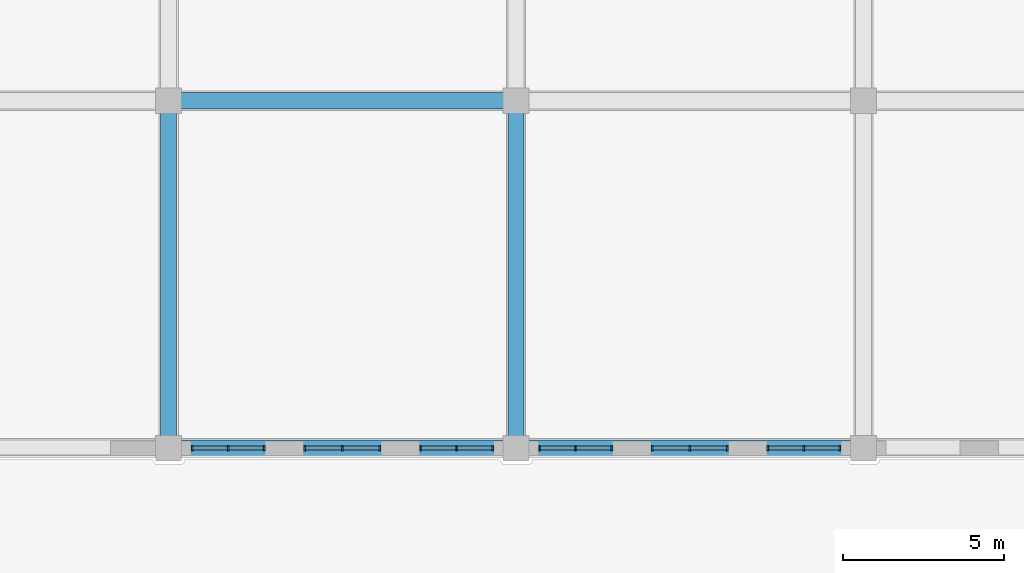
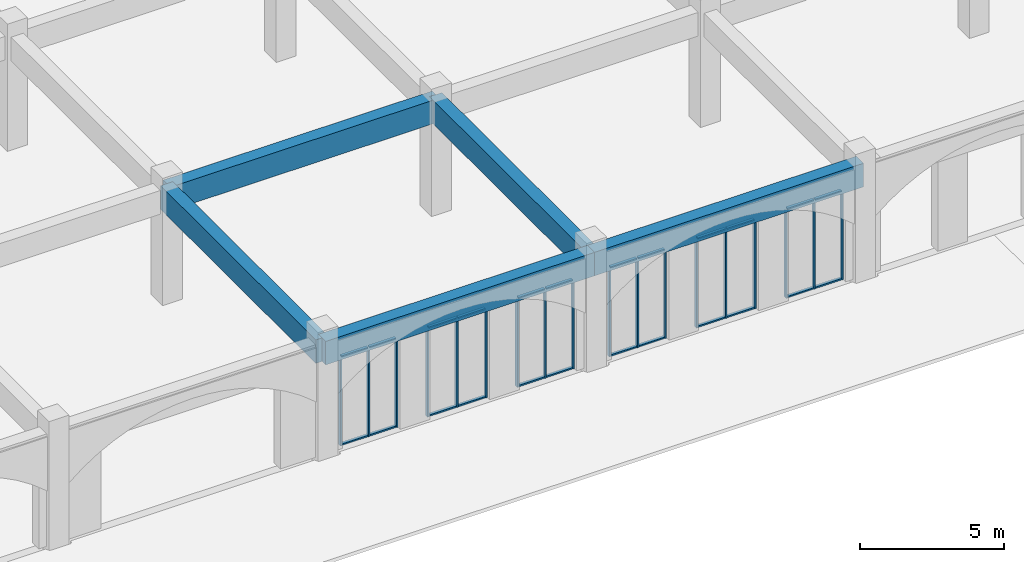
# One storey, part 15 of 101: 42 members, 5 beams, 6 elements without a shape of their own.
"""IFC4 building model written with IfcOpenShell, lengths in metres."""

from ifc_helpers import new_model, si_unit, direction, frame, origin, origin_2d, place, context, subcontext, project, spatial, rectangle, extrude, material, layer, layer_set, material_profile, profile_set, type_object, element, aggregate, save


model = new_model("IFC4")

# Units and contexts
model_context = context("Model", 3, precision=1e-05, world=origin(), true_north=direction((0.0, 1.0)))
body_context = subcontext(model_context, "Body", "Model", "MODEL_VIEW")
ifc_project = project(units=[si_unit("LENGTHUNIT", "METRE"), si_unit("AREAUNIT", "SQUARE_METRE"), si_unit("VOLUMEUNIT", "CUBIC_METRE"), si_unit("PLANEANGLEUNIT", "RADIAN"), si_unit("MASSUNIT", "GRAM", prefix="KILO")], contexts=[model_context])

# Site, building, storey
site_placement = place(None, origin())
site = spatial("IfcSite", under=ifc_project, at=site_placement, CompositionType="ELEMENT")
building_placement = place(site_placement, origin())
building = spatial("IfcBuilding", under=site, at=building_placement, Name="Magnolia Steps Interchange", CompositionType="ELEMENT")
storey_placement = place(building_placement, frame((0.0, 0.0, -5.39990234375)))
storey = spatial("IfcBuildingStorey", under=building, at=storey_placement, Name="B1", CompositionType="ELEMENT", Elevation=-5.39990234375)

# Curtain wall, members
ifc_material_1 = material(Name="Powder-coated aluminium and glass", Category="aluminium")
ifc_layer = layer(ifc_material_1, 0.1201171875)
ifc_layer_set = layer_set([ifc_layer], Name="Shopfront curtain wall")
curtain_wall_type = type_object("IfcCurtainWallType", Name="Shopfront curtain wall", PredefinedType="NOTDEFINED", material=ifc_layer_set)
curtain_wall_1_placement = place(storey_placement, origin())
curtain_wall_1 = element("IfcCurtainWall", 1, at=curtain_wall_1_placement, inside=storey, type_object=curtain_wall_type, Name="Street arcade shopfront 30", PredefinedType="NOTDEFINED")
ifc_material_2 = material(Name="White powder-coated aluminium", Category="aluminium")
ifc_material_profile_1 = material_profile(ifc_material_2, rectangle(XDim=0.06005859375, YDim=0.14990234375, at=origin_2d()), Name="Aluminium mullion 60 x 150")
ifc_profile_set_1 = profile_set([ifc_material_profile_1], Name="White powder-coated aluminium")
member_type_1 = type_object("IfcMemberType", Name="Aluminium mullion 60 x 150", PredefinedType="MULLION", material=ifc_profile_set_1)
member_1_placement = place(storey_placement, frame((107.929931640625, 10.0, 0.0), z_axis=(0.0, 0.0, 1.0), x_axis=(1.0, 0.0, 0.0)))
member_1 = element("IfcMember", 2, at=member_1_placement, type_object=member_type_1, Name="CW3 mullion 1", PredefinedType="MULLION", context=body_context, shape_type="SweptSolid", body=[
    extrude(rectangle(XDim=0.06005859375, YDim=0.14990234375, at=origin_2d()), origin(), (0.0, 0.0, 1.0), 3.7998046875),
])
member_2_placement = place(storey_placement, frame((109.050048828125, 10.0, 0.0), z_axis=(0.0, 0.0, 1.0), x_axis=(1.0, 0.0, 0.0)))
member_2 = element("IfcMember", 3, at=member_2_placement, type_object=member_type_1, Name="CW3 mullion 2", PredefinedType="MULLION", context=body_context, shape_type="SweptSolid", body=[
    extrude(rectangle(XDim=0.06005859375, YDim=0.14990234375, at=origin_2d()), origin(), (0.0, 0.0, 1.0), 3.7998046875),
])
member_3_placement = place(storey_placement, frame((110.169921875, 10.0, 0.0), z_axis=(0.0, 0.0, 1.0), x_axis=(1.0, 0.0, 0.0)))
member_3 = element("IfcMember", 4, at=member_3_placement, type_object=member_type_1, Name="CW3 mullion 3", PredefinedType="MULLION", context=body_context, shape_type="SweptSolid", body=[
    extrude(rectangle(XDim=0.06005859375, YDim=0.14990234375, at=origin_2d()), origin(), (0.0, 0.0, 1.0), 3.7998046875),
])

curtain_wall_2_placement = place(storey_placement, origin())
curtain_wall_2 = element("IfcCurtainWall", 5, at=curtain_wall_2_placement, inside=storey, type_object=curtain_wall_type, Name="Street arcade shopfront 32", PredefinedType="NOTDEFINED")
member_4_placement = place(storey_placement, frame((111.429931640625, 10.0, 0.0), z_axis=(0.0, 0.0, 1.0), x_axis=(1.0, 0.0, 0.0)))
member_4 = element("IfcMember", 6, at=member_4_placement, type_object=member_type_1, Name="CW3 mullion 1", PredefinedType="MULLION", context=body_context, shape_type="SweptSolid", body=[
    extrude(rectangle(XDim=0.06005859375, YDim=0.14990234375, at=origin_2d()), origin(), (0.0, 0.0, 1.0), 3.7998046875),
])
member_5_placement = place(storey_placement, frame((112.60009765625, 10.0, 0.0), z_axis=(0.0, 0.0, 1.0), x_axis=(1.0, 0.0, 0.0)))
member_5 = element("IfcMember", 7, at=member_5_placement, type_object=member_type_1, Name="CW3 mullion 2", PredefinedType="MULLION", context=body_context, shape_type="SweptSolid", body=[
    extrude(rectangle(XDim=0.06005859375, YDim=0.14990234375, at=origin_2d()), origin(), (0.0, 0.0, 1.0), 3.7998046875),
])
member_6_placement = place(storey_placement, frame((113.77001953125, 10.0, 0.0), z_axis=(0.0, 0.0, 1.0), x_axis=(1.0, 0.0, 0.0)))
member_6 = element("IfcMember", 8, at=member_6_placement, type_object=member_type_1, Name="CW3 mullion 3", PredefinedType="MULLION", context=body_context, shape_type="SweptSolid", body=[
    extrude(rectangle(XDim=0.06005859375, YDim=0.14990234375, at=origin_2d()), origin(), (0.0, 0.0, 1.0), 3.7998046875),
])

curtain_wall_3_placement = place(storey_placement, origin())
curtain_wall_3 = element("IfcCurtainWall", 9, at=curtain_wall_3_placement, inside=storey, type_object=curtain_wall_type, Name="Street arcade shopfront 34", PredefinedType="NOTDEFINED")
member_7_placement = place(storey_placement, frame((115.030029296875, 10.0, 0.0), z_axis=(0.0, 0.0, 1.0), x_axis=(1.0, 0.0, 0.0)))
member_7 = element("IfcMember", 10, at=member_7_placement, type_object=member_type_1, Name="CW3 mullion 1", PredefinedType="MULLION", context=body_context, shape_type="SweptSolid", body=[
    extrude(rectangle(XDim=0.06005859375, YDim=0.14990234375, at=origin_2d()), origin(), (0.0, 0.0, 1.0), 3.7998046875),
])
member_8_placement = place(storey_placement, frame((116.14990234375, 10.0, 0.0), z_axis=(0.0, 0.0, 1.0), x_axis=(1.0, 0.0, 0.0)))
member_8 = element("IfcMember", 11, at=member_8_placement, type_object=member_type_1, Name="CW3 mullion 2", PredefinedType="MULLION", context=body_context, shape_type="SweptSolid", body=[
    extrude(rectangle(XDim=0.06005859375, YDim=0.14990234375, at=origin_2d()), origin(), (0.0, 0.0, 1.0), 3.7998046875),
])
member_9_placement = place(storey_placement, frame((117.27001953125, 10.0, 0.0), z_axis=(0.0, 0.0, 1.0), x_axis=(1.0, 0.0, 0.0)))
member_9 = element("IfcMember", 12, at=member_9_placement, type_object=member_type_1, Name="CW3 mullion 3", PredefinedType="MULLION", context=body_context, shape_type="SweptSolid", body=[
    extrude(rectangle(XDim=0.06005859375, YDim=0.14990234375, at=origin_2d()), origin(), (0.0, 0.0, 1.0), 3.7998046875),
])

curtain_wall_4_placement = place(storey_placement, origin())
curtain_wall_4 = element("IfcCurtainWall", 13, at=curtain_wall_4_placement, inside=storey, type_object=curtain_wall_type, Name="Street arcade shopfront 36", PredefinedType="NOTDEFINED")
member_10_placement = place(storey_placement, frame((118.72998046875, 10.0, 0.0), z_axis=(0.0, 0.0, 1.0), x_axis=(1.0, 0.0, 0.0)))
member_10 = element("IfcMember", 14, at=member_10_placement, type_object=member_type_1, Name="CW3 mullion 1", PredefinedType="MULLION", context=body_context, shape_type="SweptSolid", body=[
    extrude(rectangle(XDim=0.06005859375, YDim=0.14990234375, at=origin_2d()), origin(), (0.0, 0.0, 1.0), 3.7998046875),
])
member_11_placement = place(storey_placement, frame((119.85009765625, 10.0, 0.0), z_axis=(0.0, 0.0, 1.0), x_axis=(1.0, 0.0, 0.0)))
member_11 = element("IfcMember", 15, at=member_11_placement, type_object=member_type_1, Name="CW3 mullion 2", PredefinedType="MULLION", context=body_context, shape_type="SweptSolid", body=[
    extrude(rectangle(XDim=0.06005859375, YDim=0.14990234375, at=origin_2d()), origin(), (0.0, 0.0, 1.0), 3.7998046875),
])
member_12_placement = place(storey_placement, frame((120.969970703125, 10.0, 0.0), z_axis=(0.0, 0.0, 1.0), x_axis=(1.0, 0.0, 0.0)))
member_12 = element("IfcMember", 16, at=member_12_placement, type_object=member_type_1, Name="CW3 mullion 3", PredefinedType="MULLION", context=body_context, shape_type="SweptSolid", body=[
    extrude(rectangle(XDim=0.06005859375, YDim=0.14990234375, at=origin_2d()), origin(), (0.0, 0.0, 1.0), 3.7998046875),
])

curtain_wall_5_placement = place(storey_placement, origin())
curtain_wall_5 = element("IfcCurtainWall", 17, at=curtain_wall_5_placement, inside=storey, type_object=curtain_wall_type, Name="Street arcade shopfront 38", PredefinedType="NOTDEFINED")
member_13_placement = place(storey_placement, frame((122.22998046875, 10.0, 0.0), z_axis=(0.0, 0.0, 1.0), x_axis=(1.0, 0.0, 0.0)))
member_13 = element("IfcMember", 18, at=member_13_placement, type_object=member_type_1, Name="CW3 mullion 1", PredefinedType="MULLION", context=body_context, shape_type="SweptSolid", body=[
    extrude(rectangle(XDim=0.06005859375, YDim=0.14990234375, at=origin_2d()), origin(), (0.0, 0.0, 1.0), 3.7998046875),
])
member_14_placement = place(storey_placement, frame((123.39990234375, 10.0, 0.0), z_axis=(0.0, 0.0, 1.0), x_axis=(1.0, 0.0, 0.0)))
member_14 = element("IfcMember", 19, at=member_14_placement, type_object=member_type_1, Name="CW3 mullion 2", PredefinedType="MULLION", context=body_context, shape_type="SweptSolid", body=[
    extrude(rectangle(XDim=0.06005859375, YDim=0.14990234375, at=origin_2d()), origin(), (0.0, 0.0, 1.0), 3.7998046875),
])
member_15_placement = place(storey_placement, frame((124.570068359375, 10.0, 0.0), z_axis=(0.0, 0.0, 1.0), x_axis=(1.0, 0.0, 0.0)))
member_15 = element("IfcMember", 20, at=member_15_placement, type_object=member_type_1, Name="CW3 mullion 3", PredefinedType="MULLION", context=body_context, shape_type="SweptSolid", body=[
    extrude(rectangle(XDim=0.06005859375, YDim=0.14990234375, at=origin_2d()), origin(), (0.0, 0.0, 1.0), 3.7998046875),
])

curtain_wall_6_placement = place(storey_placement, origin())
curtain_wall_6 = element("IfcCurtainWall", 21, at=curtain_wall_6_placement, inside=storey, type_object=curtain_wall_type, Name="Street arcade shopfront 40", PredefinedType="NOTDEFINED")
member_16_placement = place(storey_placement, frame((125.830078125, 10.0, 0.0), z_axis=(0.0, 0.0, 1.0), x_axis=(1.0, 0.0, 0.0)))
member_16 = element("IfcMember", 22, at=member_16_placement, type_object=member_type_1, Name="CW3 mullion 1", PredefinedType="MULLION", context=body_context, shape_type="SweptSolid", body=[
    extrude(rectangle(XDim=0.06005859375, YDim=0.14990234375, at=origin_2d()), origin(), (0.0, 0.0, 1.0), 3.7998046875),
])
member_17_placement = place(storey_placement, frame((126.949951171875, 10.0, 0.0), z_axis=(0.0, 0.0, 1.0), x_axis=(1.0, 0.0, 0.0)))
member_17 = element("IfcMember", 23, at=member_17_placement, type_object=member_type_1, Name="CW3 mullion 2", PredefinedType="MULLION", context=body_context, shape_type="SweptSolid", body=[
    extrude(rectangle(XDim=0.06005859375, YDim=0.14990234375, at=origin_2d()), origin(), (0.0, 0.0, 1.0), 3.7998046875),
])
member_18_placement = place(storey_placement, frame((128.070068359375, 10.0, 0.0), z_axis=(0.0, 0.0, 1.0), x_axis=(1.0, 0.0, 0.0)))
member_18 = element("IfcMember", 24, at=member_18_placement, type_object=member_type_1, Name="CW3 mullion 3", PredefinedType="MULLION", context=body_context, shape_type="SweptSolid", body=[
    extrude(rectangle(XDim=0.06005859375, YDim=0.14990234375, at=origin_2d()), origin(), (0.0, 0.0, 1.0), 3.7998046875),
])

# Member
ifc_material_3 = material(Name="White powder-coated aluminium", Category="aluminium")
ifc_material_profile_2 = material_profile(ifc_material_3, rectangle(XDim=0.06005859375, YDim=0.1201171875, at=origin_2d()), Name="Aluminium transom 60 x 120")
ifc_profile_set_2 = profile_set([ifc_material_profile_2], Name="White powder-coated aluminium")
member_type_2 = type_object("IfcMemberType", Name="Aluminium transom 60 x 120", PredefinedType="USERDEFINED", material=ifc_profile_set_2)
member_19_placement = place(storey_placement, frame((107.9599609375, 10.0, 0.02978515625), z_axis=(1.0, 0.0, 0.0), x_axis=(0.0, 0.0, 1.0)))
member_19 = element("IfcMember", 25, at=member_19_placement, type_object=member_type_2, Name="CW3 transom 1.1", ObjectType="TRANSOM", PredefinedType="USERDEFINED", context=body_context, shape_type="SweptSolid", body=[
    extrude(rectangle(XDim=0.06005859375, YDim=0.1201171875, at=origin_2d()), origin(), (0.0, 0.0, 1.0), 1.06005859375),
])

member_20_placement = place(storey_placement, frame((107.9599609375, 10.0, 3.77001953125), z_axis=(1.0, 0.0, 0.0), x_axis=(0.0, 0.0, 1.0)))
member_20 = element("IfcMember", 26, at=member_20_placement, type_object=member_type_2, Name="CW3 transom 1.2", ObjectType="TRANSOM", PredefinedType="USERDEFINED", context=body_context, shape_type="SweptSolid", body=[
    extrude(rectangle(XDim=0.06005859375, YDim=0.1201171875, at=origin_2d()), origin(), (0.0, 0.0, 1.0), 1.06005859375),
])

member_21_placement = place(storey_placement, frame((109.080078125, 10.0, 0.02978515625), z_axis=(1.0, 0.0, 0.0), x_axis=(0.0, 0.0, 1.0)))
member_21 = element("IfcMember", 27, at=member_21_placement, type_object=member_type_2, Name="CW3 transom 2.1", ObjectType="TRANSOM", PredefinedType="USERDEFINED", context=body_context, shape_type="SweptSolid", body=[
    extrude(rectangle(XDim=0.06005859375, YDim=0.1201171875, at=origin_2d()), origin(), (0.0, 0.0, 1.0), 1.059814453125),
])

member_22_placement = place(storey_placement, frame((109.080078125, 10.0, 3.77001953125), z_axis=(1.0, 0.0, 0.0), x_axis=(0.0, 0.0, 1.0)))
member_22 = element("IfcMember", 28, at=member_22_placement, type_object=member_type_2, Name="CW3 transom 2.2", ObjectType="TRANSOM", PredefinedType="USERDEFINED", context=body_context, shape_type="SweptSolid", body=[
    extrude(rectangle(XDim=0.06005859375, YDim=0.1201171875, at=origin_2d()), origin(), (0.0, 0.0, 1.0), 1.059814453125),
])

aggregate(curtain_wall_1, [member_1, member_2, member_3, member_19, member_20, member_21, member_22])

member_23_placement = place(storey_placement, frame((111.4599609375, 10.0, 0.02978515625), z_axis=(1.0, 0.0, 0.0), x_axis=(0.0, 0.0, 1.0)))
member_23 = element("IfcMember", 29, at=member_23_placement, type_object=member_type_2, Name="CW3 transom 1.1", ObjectType="TRANSOM", PredefinedType="USERDEFINED", context=body_context, shape_type="SweptSolid", body=[
    extrude(rectangle(XDim=0.06005859375, YDim=0.1201171875, at=origin_2d()), origin(), (0.0, 0.0, 1.0), 1.110107421875),
])

member_24_placement = place(storey_placement, frame((111.4599609375, 10.0, 3.77001953125), z_axis=(1.0, 0.0, 0.0), x_axis=(0.0, 0.0, 1.0)))
member_24 = element("IfcMember", 30, at=member_24_placement, type_object=member_type_2, Name="CW3 transom 1.2", ObjectType="TRANSOM", PredefinedType="USERDEFINED", context=body_context, shape_type="SweptSolid", body=[
    extrude(rectangle(XDim=0.06005859375, YDim=0.1201171875, at=origin_2d()), origin(), (0.0, 0.0, 1.0), 1.110107421875),
])

member_25_placement = place(storey_placement, frame((112.6298828125, 10.0, 0.02978515625), z_axis=(1.0, 0.0, 0.0), x_axis=(0.0, 0.0, 1.0)))
member_25 = element("IfcMember", 31, at=member_25_placement, type_object=member_type_2, Name="CW3 transom 2.1", ObjectType="TRANSOM", PredefinedType="USERDEFINED", context=body_context, shape_type="SweptSolid", body=[
    extrude(rectangle(XDim=0.06005859375, YDim=0.1201171875, at=origin_2d()), origin(), (0.0, 0.0, 1.0), 1.110107421875),
])

member_26_placement = place(storey_placement, frame((112.6298828125, 10.0, 3.77001953125), z_axis=(1.0, 0.0, 0.0), x_axis=(0.0, 0.0, 1.0)))
member_26 = element("IfcMember", 32, at=member_26_placement, type_object=member_type_2, Name="CW3 transom 2.2", ObjectType="TRANSOM", PredefinedType="USERDEFINED", context=body_context, shape_type="SweptSolid", body=[
    extrude(rectangle(XDim=0.06005859375, YDim=0.1201171875, at=origin_2d()), origin(), (0.0, 0.0, 1.0), 1.110107421875),
])

aggregate(curtain_wall_2, [member_4, member_5, member_6, member_23, member_24, member_25, member_26])

member_27_placement = place(storey_placement, frame((115.06005859375, 10.0, 0.02978515625), z_axis=(1.0, 0.0, 0.0), x_axis=(0.0, 0.0, 1.0)))
member_27 = element("IfcMember", 33, at=member_27_placement, type_object=member_type_2, Name="CW3 transom 1.1", ObjectType="TRANSOM", PredefinedType="USERDEFINED", context=body_context, shape_type="SweptSolid", body=[
    extrude(rectangle(XDim=0.06005859375, YDim=0.1201171875, at=origin_2d()), origin(), (0.0, 0.0, 1.0), 1.06005859375),
])

member_28_placement = place(storey_placement, frame((115.06005859375, 10.0, 3.77001953125), z_axis=(1.0, 0.0, 0.0), x_axis=(0.0, 0.0, 1.0)))
member_28 = element("IfcMember", 34, at=member_28_placement, type_object=member_type_2, Name="CW3 transom 1.2", ObjectType="TRANSOM", PredefinedType="USERDEFINED", context=body_context, shape_type="SweptSolid", body=[
    extrude(rectangle(XDim=0.06005859375, YDim=0.1201171875, at=origin_2d()), origin(), (0.0, 0.0, 1.0), 1.06005859375),
])

member_29_placement = place(storey_placement, frame((116.179931640625, 10.0, 0.02978515625), z_axis=(1.0, 0.0, 0.0), x_axis=(0.0, 0.0, 1.0)))
member_29 = element("IfcMember", 35, at=member_29_placement, type_object=member_type_2, Name="CW3 transom 2.1", ObjectType="TRANSOM", PredefinedType="USERDEFINED", context=body_context, shape_type="SweptSolid", body=[
    extrude(rectangle(XDim=0.06005859375, YDim=0.1201171875, at=origin_2d()), origin(), (0.0, 0.0, 1.0), 1.06005859375),
])

member_30_placement = place(storey_placement, frame((116.179931640625, 10.0, 3.77001953125), z_axis=(1.0, 0.0, 0.0), x_axis=(0.0, 0.0, 1.0)))
member_30 = element("IfcMember", 36, at=member_30_placement, type_object=member_type_2, Name="CW3 transom 2.2", ObjectType="TRANSOM", PredefinedType="USERDEFINED", context=body_context, shape_type="SweptSolid", body=[
    extrude(rectangle(XDim=0.06005859375, YDim=0.1201171875, at=origin_2d()), origin(), (0.0, 0.0, 1.0), 1.06005859375),
])

aggregate(curtain_wall_3, [member_7, member_8, member_9, member_27, member_28, member_29, member_30])

member_31_placement = place(storey_placement, frame((118.760009765625, 10.0, 0.02978515625), z_axis=(1.0, 0.0, 0.0), x_axis=(0.0, 0.0, 1.0)))
member_31 = element("IfcMember", 37, at=member_31_placement, type_object=member_type_2, Name="CW3 transom 1.1", ObjectType="TRANSOM", PredefinedType="USERDEFINED", context=body_context, shape_type="SweptSolid", body=[
    extrude(rectangle(XDim=0.06005859375, YDim=0.1201171875, at=origin_2d()), origin(), (0.0, 0.0, 1.0), 1.06005859375),
])

member_32_placement = place(storey_placement, frame((118.760009765625, 10.0, 3.77001953125), z_axis=(1.0, 0.0, 0.0), x_axis=(0.0, 0.0, 1.0)))
member_32 = element("IfcMember", 38, at=member_32_placement, type_object=member_type_2, Name="CW3 transom 1.2", ObjectType="TRANSOM", PredefinedType="USERDEFINED", context=body_context, shape_type="SweptSolid", body=[
    extrude(rectangle(XDim=0.06005859375, YDim=0.1201171875, at=origin_2d()), origin(), (0.0, 0.0, 1.0), 1.06005859375),
])

member_33_placement = place(storey_placement, frame((119.8798828125, 10.0, 0.02978515625), z_axis=(1.0, 0.0, 0.0), x_axis=(0.0, 0.0, 1.0)))
member_33 = element("IfcMember", 39, at=member_33_placement, type_object=member_type_2, Name="CW3 transom 2.1", ObjectType="TRANSOM", PredefinedType="USERDEFINED", context=body_context, shape_type="SweptSolid", body=[
    extrude(rectangle(XDim=0.06005859375, YDim=0.1201171875, at=origin_2d()), origin(), (0.0, 0.0, 1.0), 1.06005859375),
])

member_34_placement = place(storey_placement, frame((119.8798828125, 10.0, 3.77001953125), z_axis=(1.0, 0.0, 0.0), x_axis=(0.0, 0.0, 1.0)))
member_34 = element("IfcMember", 40, at=member_34_placement, type_object=member_type_2, Name="CW3 transom 2.2", ObjectType="TRANSOM", PredefinedType="USERDEFINED", context=body_context, shape_type="SweptSolid", body=[
    extrude(rectangle(XDim=0.06005859375, YDim=0.1201171875, at=origin_2d()), origin(), (0.0, 0.0, 1.0), 1.06005859375),
])

aggregate(curtain_wall_4, [member_10, member_11, member_12, member_31, member_32, member_33, member_34])

member_35_placement = place(storey_placement, frame((122.260009765625, 10.0, 0.02978515625), z_axis=(1.0, 0.0, 0.0), x_axis=(0.0, 0.0, 1.0)))
member_35 = element("IfcMember", 41, at=member_35_placement, type_object=member_type_2, Name="CW3 transom 1.1", ObjectType="TRANSOM", PredefinedType="USERDEFINED", context=body_context, shape_type="SweptSolid", body=[
    extrude(rectangle(XDim=0.06005859375, YDim=0.1201171875, at=origin_2d()), origin(), (0.0, 0.0, 1.0), 1.110107421875),
])

member_36_placement = place(storey_placement, frame((122.260009765625, 10.0, 3.77001953125), z_axis=(1.0, 0.0, 0.0), x_axis=(0.0, 0.0, 1.0)))
member_36 = element("IfcMember", 42, at=member_36_placement, type_object=member_type_2, Name="CW3 transom 1.2", ObjectType="TRANSOM", PredefinedType="USERDEFINED", context=body_context, shape_type="SweptSolid", body=[
    extrude(rectangle(XDim=0.06005859375, YDim=0.1201171875, at=origin_2d()), origin(), (0.0, 0.0, 1.0), 1.110107421875),
])

member_37_placement = place(storey_placement, frame((123.429931640625, 10.0, 0.02978515625), z_axis=(1.0, 0.0, 0.0), x_axis=(0.0, 0.0, 1.0)))
member_37 = element("IfcMember", 43, at=member_37_placement, type_object=member_type_2, Name="CW3 transom 2.1", ObjectType="TRANSOM", PredefinedType="USERDEFINED", context=body_context, shape_type="SweptSolid", body=[
    extrude(rectangle(XDim=0.06005859375, YDim=0.1201171875, at=origin_2d()), origin(), (0.0, 0.0, 1.0), 1.110107421875),
])

member_38_placement = place(storey_placement, frame((123.429931640625, 10.0, 3.77001953125), z_axis=(1.0, 0.0, 0.0), x_axis=(0.0, 0.0, 1.0)))
member_38 = element("IfcMember", 44, at=member_38_placement, type_object=member_type_2, Name="CW3 transom 2.2", ObjectType="TRANSOM", PredefinedType="USERDEFINED", context=body_context, shape_type="SweptSolid", body=[
    extrude(rectangle(XDim=0.06005859375, YDim=0.1201171875, at=origin_2d()), origin(), (0.0, 0.0, 1.0), 1.110107421875),
])

aggregate(curtain_wall_5, [member_13, member_14, member_15, member_35, member_36, member_37, member_38])

member_39_placement = place(storey_placement, frame((125.860107421875, 10.0, 0.02978515625), z_axis=(1.0, 0.0, 0.0), x_axis=(0.0, 0.0, 1.0)))
member_39 = element("IfcMember", 45, at=member_39_placement, type_object=member_type_2, Name="CW3 transom 1.1", ObjectType="TRANSOM", PredefinedType="USERDEFINED", context=body_context, shape_type="SweptSolid", body=[
    extrude(rectangle(XDim=0.06005859375, YDim=0.1201171875, at=origin_2d()), origin(), (0.0, 0.0, 1.0), 1.059814453125),
])

member_40_placement = place(storey_placement, frame((125.860107421875, 10.0, 3.77001953125), z_axis=(1.0, 0.0, 0.0), x_axis=(0.0, 0.0, 1.0)))
member_40 = element("IfcMember", 46, at=member_40_placement, type_object=member_type_2, Name="CW3 transom 1.2", ObjectType="TRANSOM", PredefinedType="USERDEFINED", context=body_context, shape_type="SweptSolid", body=[
    extrude(rectangle(XDim=0.06005859375, YDim=0.1201171875, at=origin_2d()), origin(), (0.0, 0.0, 1.0), 1.059814453125),
])

member_41_placement = place(storey_placement, frame((126.97998046875, 10.0, 0.02978515625), z_axis=(1.0, 0.0, 0.0), x_axis=(0.0, 0.0, 1.0)))
member_41 = element("IfcMember", 47, at=member_41_placement, type_object=member_type_2, Name="CW3 transom 2.1", ObjectType="TRANSOM", PredefinedType="USERDEFINED", context=body_context, shape_type="SweptSolid", body=[
    extrude(rectangle(XDim=0.06005859375, YDim=0.1201171875, at=origin_2d()), origin(), (0.0, 0.0, 1.0), 1.06005859375),
])

member_42_placement = place(storey_placement, frame((126.97998046875, 10.0, 3.77001953125), z_axis=(1.0, 0.0, 0.0), x_axis=(0.0, 0.0, 1.0)))
member_42 = element("IfcMember", 48, at=member_42_placement, type_object=member_type_2, Name="CW3 transom 2.2", ObjectType="TRANSOM", PredefinedType="USERDEFINED", context=body_context, shape_type="SweptSolid", body=[
    extrude(rectangle(XDim=0.06005859375, YDim=0.1201171875, at=origin_2d()), origin(), (0.0, 0.0, 1.0), 1.06005859375),
])

aggregate(curtain_wall_6, [member_16, member_17, member_18, member_39, member_40, member_41, member_42])

# Beams
ifc_material_4 = material(Name="Concrete C40", Category="concrete")
ifc_material_profile_3 = material_profile(ifc_material_4, rectangle(XDim=0.5, YDim=1.0, at=origin_2d()), Name="RC500x1000")
ifc_profile_set_3 = profile_set([ifc_material_profile_3], Name="Concrete C40")
beam_type = type_object("IfcBeamType", Name="RC beam 500x1000", PredefinedType="BEAM", material=ifc_profile_set_3)
for number, where, z_axis, x_axis, name in (
    (49, (107.199951171875, 10.0, 4.2998046875), (1.0, 0.0, 0.0), (0.0, 1.0, 0.0), "Beam L00 A 10-11"),
    (50, (118.0, 10.0, 4.2998046875), (1.0, 0.0, 0.0), (0.0, 1.0, 0.0), "Beam L00 A 11-12"),
    (51, (107.199951171875, 20.800048828125, 4.2998046875), (1.0, 0.0, 0.0), (0.0, 1.0, 0.0), "Beam L00 B 10-11"),
    (52, (107.199951171875, 10.0, 4.2998046875), (0.0, 1.0, 0.0), (-1.0, 0.0, 0.0), "Beam L00 10 A-B"),
    (53, (118.0, 10.0, 4.2998046875), (0.0, 1.0, 0.0), (-1.0, 0.0, 0.0), "Beam L00 11 A-B"),
):
    element("IfcBeam", number, at=place(storey_placement, frame(where, z_axis=z_axis, x_axis=x_axis)), inside=storey, type_object=beam_type, Name=name, PredefinedType="BEAM", context=body_context, shape_type="SweptSolid", body=[
        extrude(rectangle(XDim=0.5, YDim=1.0, at=origin_2d()), origin(), (0.0, 0.0, 1.0), 10.800048828125),
    ])

save(model, "model.ifc")
